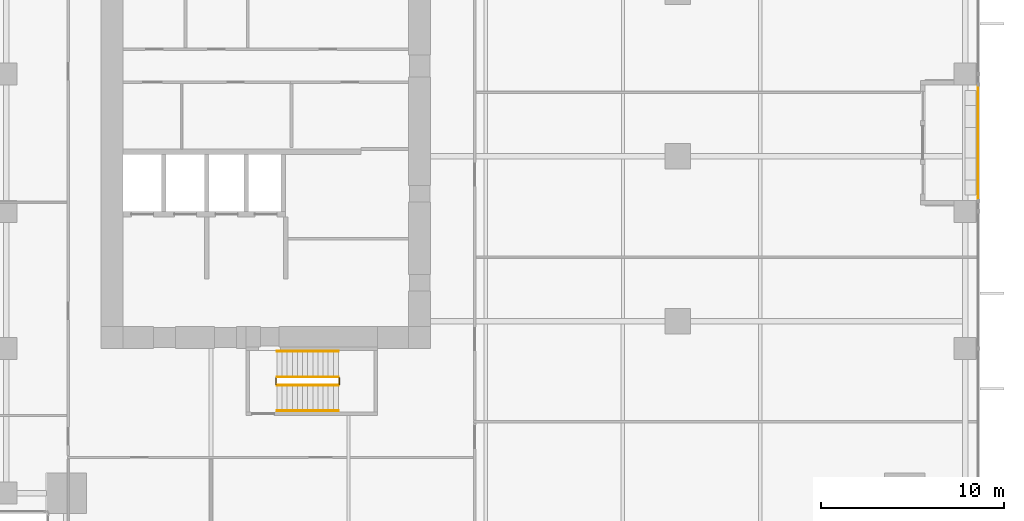
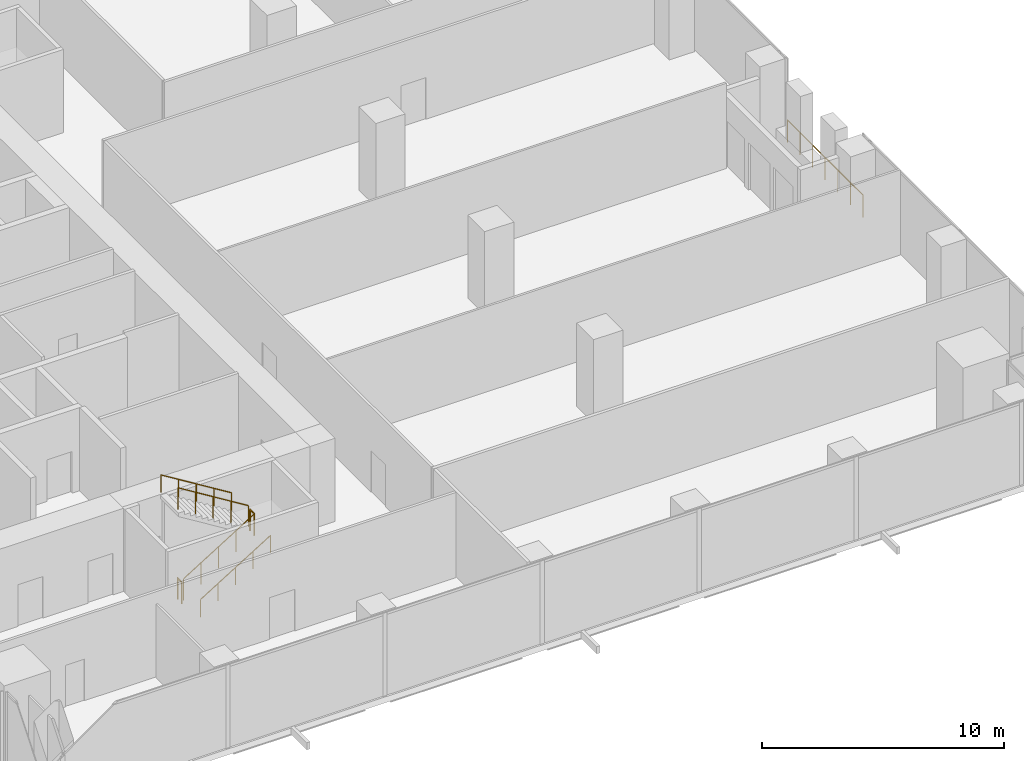
# One storey, part 30 of 32: 7 railings.
"""IFC4 building model written with IfcOpenShell, lengths in metres."""

from ifc_helpers import new_model, si_unit, direction, frame, origin, origin_2d, place, context, subcontext, project, spatial, circle, extrude, source, transform, mapped, material, type_object, element, save


model = new_model("IFC4")

# Units and contexts
model_context = context("Model", 3, precision=1e-05, world=origin(), true_north=direction((0.0, 1.0)))
body_context = subcontext(model_context, "Body", "Model", "MODEL_VIEW")
ifc_project = project(units=[si_unit("LENGTHUNIT", "METRE"), si_unit("AREAUNIT", "SQUARE_METRE"), si_unit("VOLUMEUNIT", "CUBIC_METRE"), si_unit("PLANEANGLEUNIT", "RADIAN"), si_unit("MASSUNIT", "GRAM", prefix="KILO")], contexts=[model_context])

# Site, building, storey
site_placement = place(None, origin())
site = spatial("IfcSite", under=ifc_project, at=site_placement, CompositionType="ELEMENT")
building_placement = place(site_placement, origin())
building = spatial("IfcBuilding", under=site, at=building_placement, Name="Khomas Fold Tower", CompositionType="ELEMENT")
storey_placement = place(building_placement, frame((0.0, 0.0, 42.0)))
storey = spatial("IfcBuildingStorey", under=building, at=storey_placement, Name="L08", CompositionType="ELEMENT", Elevation=42.0)

# Railings
ifc_material_1 = material(Name="Powder-coated steel", Category="steel")
railing_type_1 = type_object("IfcRailingType", Name="Balcony guard", PredefinedType="GUARDRAIL", material=ifc_material_1)
shared_shape_1 = source(origin(), body_context, "Body", "SweptSolid", [
    extrude(circle(Radius=0.02490234375, at=origin_2d()), frame((0.0, 0.0, 1.125), z_axis=(0.0, 1.0, 0.0), x_axis=(-1.0, 0.0, 0.0)), (0.0, 0.0, 1.0), 6.240234375),
    extrude(circle(Radius=0.02001953125, at=origin_2d()), origin(), (0.0, 0.0, 1.0), 1.099853515625),
    extrude(circle(Radius=0.02001953125, at=origin_2d()), frame((0.0, 1.0400390625, 0.0)), (0.0, 0.0, 1.0), 1.099853515625),
    extrude(circle(Radius=0.02001953125, at=origin_2d()), frame((0.0, 2.080078125, 0.0)), (0.0, 0.0, 1.0), 1.099853515625),
    extrude(circle(Radius=0.02001953125, at=origin_2d()), frame((0.0, 3.1201171875, 0.0)), (0.0, 0.0, 1.0), 1.099853515625),
    extrude(circle(Radius=0.02001953125, at=origin_2d()), frame((0.0, 4.16015625, 0.0)), (0.0, 0.0, 1.0), 1.099853515625),
    extrude(circle(Radius=0.02001953125, at=origin_2d()), frame((0.0, 5.2001953125, 0.0)), (0.0, 0.0, 1.0), 1.099853515625),
    extrude(circle(Radius=0.02001953125, at=origin_2d()), frame((0.0, 6.240234375, 0.0)), (0.0, 0.0, 1.0), 1.099853515625),
])
railing_1_placement = place(storey_placement, frame((53.89990234375, 20.1298828125, -0.044921875)))
element("IfcRailing", 1, at=railing_1_placement, inside=storey, type_object=railing_type_1, Name="Balcony guard BAL-L08-E2", PredefinedType="GUARDRAIL", context=body_context, shape_type="MappedRepresentation", body=[
    mapped(shared_shape_1, transform((0.0, 0.0, 0.0))),
])
ifc_material_2 = material(Name="Steel balustrade", Category="steel")
railing_type_2 = type_object("IfcRailingType", Name="Stair guard", PredefinedType="GUARDRAIL", material=ifc_material_2)
shared_shape_2 = source(origin(), body_context, "Body", "SweptSolid", [
    extrude(circle(Radius=0.02392578125, at=origin_2d()), frame((0.0, 0.0, 1.076171875), z_axis=(0.850606129759, 0.0, 0.525803396734), x_axis=(0.0, 1.0, 0.0)), (0.0, 0.0, 1.0), 3.949951171875),
    extrude(circle(Radius=0.02099609375, at=origin_2d()), origin(), (0.0, 0.0, 1.0), 1.052001953125),
    extrude(circle(Radius=0.02099609375, at=origin_2d()), frame((0.83984375, 0.0, 0.519287109375)), (0.0, 0.0, 1.0), 1.052001953125),
    extrude(circle(Radius=0.02099609375, at=origin_2d()), frame((1.679931640625, 0.0, 1.03857421875)), (0.0, 0.0, 1.0), 1.052001953125),
    extrude(circle(Radius=0.02099609375, at=origin_2d()), frame((2.52001953125, 0.0, 1.5576171875)), (0.0, 0.0, 1.0), 1.052001953125),
    extrude(circle(Radius=0.02099609375, at=origin_2d()), frame((3.35986328125, 0.0, 2.076904296875)), (0.0, 0.0, 1.0), 1.052001953125),
])
railing_2_placement = place(storey_placement, frame((15.60009765625, 10.0, 0.173095703125)))
element("IfcRailing", 2, at=railing_2_placement, inside=storey, type_object=railing_type_2, Name="L08 ST2 stair guard 1", PredefinedType="GUARDRAIL", context=body_context, shape_type="MappedRepresentation", body=[
    mapped(shared_shape_2, transform((0.0, 0.0, 0.0))),
])
shared_shape_3 = source(origin(), body_context, "Body", "SweptSolid", [
    extrude(circle(Radius=0.02392578125, at=origin_2d()), frame((0.0, 0.0, 1.076171875), z_axis=(0.0, 1.0, 0.0), x_axis=(-1.0, 0.0, 0.0)), (0.0, 0.0, 1.0), 0.349853515625),
    extrude(circle(Radius=0.02099609375, at=origin_2d()), origin(), (0.0, 0.0, 1.0), 1.052001953125),
    extrude(circle(Radius=0.02099609375, at=origin_2d()), frame((0.0, 0.349853515625, 0.0)), (0.0, 0.0, 1.0), 1.052001953125),
])
for number, where, name in (
    (3, (19.010009765625, 10.050048828125, 2.25), "L08 ST2 stair guard 2"),
    (4, (15.550048828125, 10.050048828125, 0.0), "L08 ST2 stair guard 4"),
):
    element("IfcRailing", number, at=place(storey_placement, frame(where)), inside=storey, type_object=railing_type_2, Name=name, PredefinedType="GUARDRAIL", context=body_context, shape_type="MappedRepresentation", body=[
        mapped(shared_shape_3, transform((0.0, 0.0, 0.0))),
    ])
shared_shape_4 = source(origin(), body_context, "Body", "SweptSolid", [
    extrude(circle(Radius=0.02392578125, at=origin_2d()), frame((0.0, 0.0, 1.076171875), z_axis=(-0.850606129759, 0.0, 0.525803396734), x_axis=(0.0, -1.0, 0.0)), (0.0, 0.0, 1.0), 3.949951171875),
    extrude(circle(Radius=0.02099609375, at=origin_2d()), origin(), (0.0, 0.0, 1.0), 1.052001953125),
    extrude(circle(Radius=0.02099609375, at=origin_2d()), frame((-0.83984375, 0.0, 0.519287109375)), (0.0, 0.0, 1.0), 1.052001953125),
    extrude(circle(Radius=0.02099609375, at=origin_2d()), frame((-1.679931640625, 0.0, 1.03857421875)), (0.0, 0.0, 1.0), 1.052001953125),
    extrude(circle(Radius=0.02099609375, at=origin_2d()), frame((-2.52001953125, 0.0, 1.5576171875)), (0.0, 0.0, 1.0), 1.052001953125),
    extrude(circle(Radius=0.02099609375, at=origin_2d()), frame((-3.35986328125, 0.0, 2.076904296875)), (0.0, 0.0, 1.0), 1.052001953125),
])
railing_3_placement = place(storey_placement, frame((18.9599609375, 10.449951171875, 2.423095703125)))
element("IfcRailing", 5, at=railing_3_placement, inside=storey, type_object=railing_type_2, Name="L08 ST2 stair guard 3", PredefinedType="GUARDRAIL", context=body_context, shape_type="MappedRepresentation", body=[
    mapped(shared_shape_4, transform((0.0, 0.0, 0.0))),
])
ifc_material_3 = material(Name="Steel handrail", Category="steel")
railing_type_3 = type_object("IfcRailingType", Name="Stair handrail", PredefinedType="HANDRAIL", material=ifc_material_3)
shared_shape_5 = source(origin(), body_context, "Body", "SweptSolid", [
    extrude(circle(Radius=0.02392578125, at=origin_2d()), frame((0.0, 0.0, 0.8759765625), z_axis=(0.850606129759, 0.0, 0.525803396734), x_axis=(0.0, 1.0, 0.0)), (0.0, 0.0, 1.0), 3.949951171875),
    extrude(circle(Radius=0.02099609375, at=origin_2d()), origin(), (0.0, 0.0, 1.0), 0.851806640625),
    extrude(circle(Radius=0.02099609375, at=origin_2d()), frame((0.83984375, 0.0, 0.519287109375)), (0.0, 0.0, 1.0), 0.851806640625),
    extrude(circle(Radius=0.02099609375, at=origin_2d()), frame((1.679931640625, 0.0, 1.03857421875)), (0.0, 0.0, 1.0), 0.851806640625),
    extrude(circle(Radius=0.02099609375, at=origin_2d()), frame((2.52001953125, 0.0, 1.5576171875)), (0.0, 0.0, 1.0), 0.851806640625),
    extrude(circle(Radius=0.02099609375, at=origin_2d()), frame((3.35986328125, 0.0, 2.076904296875)), (0.0, 0.0, 1.0), 0.851806640625),
])
railing_4_placement = place(storey_placement, frame((15.60009765625, 8.60009765625, 0.173095703125)))
element("IfcRailing", 6, at=railing_4_placement, inside=storey, type_object=railing_type_3, Name="L08 ST2 stair handrail 1", PredefinedType="HANDRAIL", context=body_context, shape_type="MappedRepresentation", body=[
    mapped(shared_shape_5, transform((0.0, 0.0, 0.0))),
])
shared_shape_6 = source(origin(), body_context, "Body", "SweptSolid", [
    extrude(circle(Radius=0.02392578125, at=origin_2d()), frame((0.0, 0.0, 0.8759765625), z_axis=(-0.850606129759, 0.0, 0.525803396734), x_axis=(0.0, -1.0, 0.0)), (0.0, 0.0, 1.0), 3.949951171875),
    extrude(circle(Radius=0.02099609375, at=origin_2d()), origin(), (0.0, 0.0, 1.0), 0.851806640625),
    extrude(circle(Radius=0.02099609375, at=origin_2d()), frame((-0.83984375, 0.0, 0.519287109375)), (0.0, 0.0, 1.0), 0.851806640625),
    extrude(circle(Radius=0.02099609375, at=origin_2d()), frame((-1.679931640625, 0.0, 1.03857421875)), (0.0, 0.0, 1.0), 0.851806640625),
    extrude(circle(Radius=0.02099609375, at=origin_2d()), frame((-2.52001953125, 0.0, 1.5576171875)), (0.0, 0.0, 1.0), 0.851806640625),
    extrude(circle(Radius=0.02099609375, at=origin_2d()), frame((-3.35986328125, 0.0, 2.076904296875)), (0.0, 0.0, 1.0), 0.851806640625),
])
railing_5_placement = place(storey_placement, frame((18.9599609375, 11.85009765625, 2.423095703125)))
element("IfcRailing", 7, at=railing_5_placement, inside=storey, type_object=railing_type_3, Name="L08 ST2 stair handrail 2", PredefinedType="HANDRAIL", context=body_context, shape_type="MappedRepresentation", body=[
    mapped(shared_shape_6, transform((0.0, 0.0, 0.0))),
])

save(model, "model.ifc")
